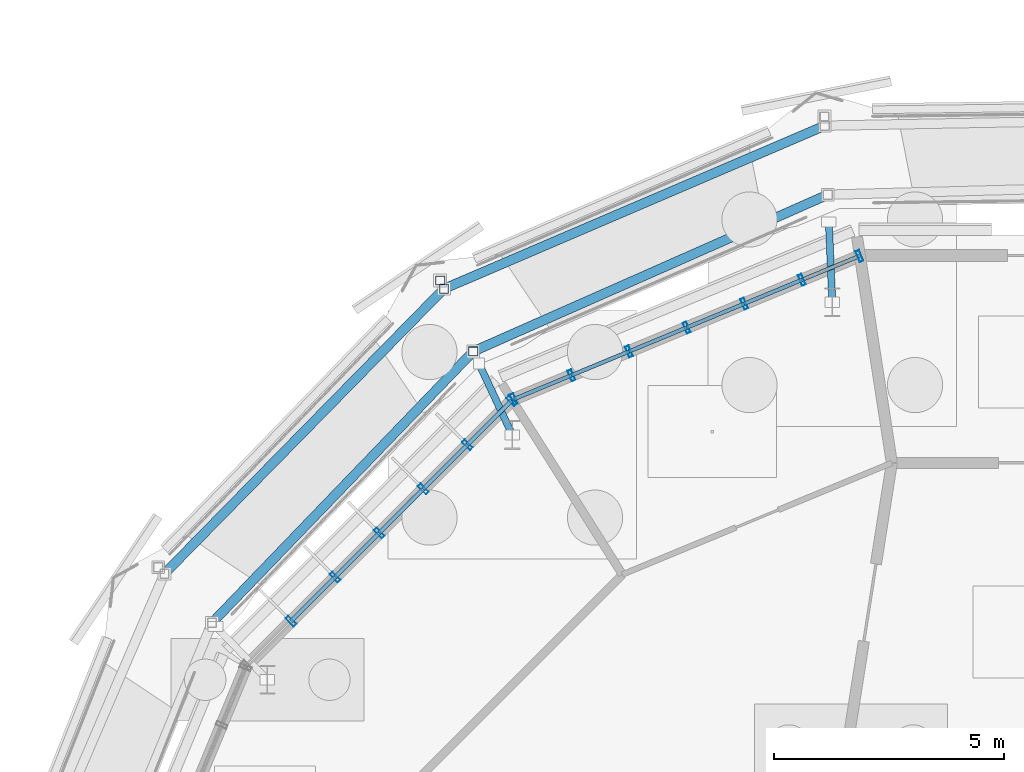
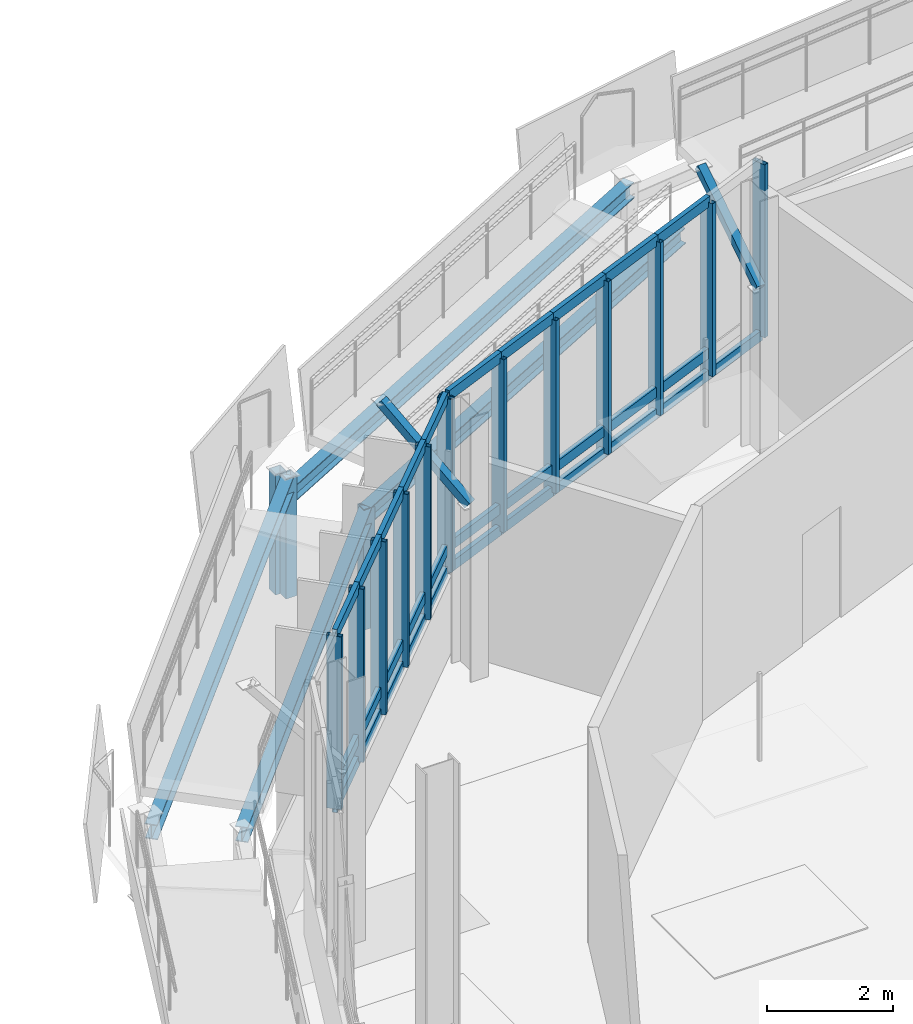
# One storey, part 50 of 119: 49 members, 4 beams, 2 elements without a shape of their own.
"""IFC4 building model written with IfcOpenShell, lengths in metres."""

from ifc_helpers import new_model, si_unit, derived_unit, direction, frame, origin, origin_2d, place, context, subcontext, project, spatial, hollow_rectangle, i_section, extrude, material, layer, layer_set, material_profile, profile_set, type_object, element, aggregate, save


model = new_model("IFC4")

# Units and contexts
model_context = context("Model", 3, precision=1e-05, world=origin(), true_north=direction((0.0, 1.0)))
body_context = subcontext(model_context, "Body", "Model", "MODEL_VIEW")
ifc_project = project(units=[si_unit("LENGTHUNIT", "METRE"), si_unit("AREAUNIT", "SQUARE_METRE"), si_unit("VOLUMEUNIT", "CUBIC_METRE"), si_unit("PLANEANGLEUNIT", "RADIAN"), si_unit("MASSUNIT", "GRAM", prefix="KILO"), derived_unit("THERMALTRANSMITTANCEUNIT", [(si_unit("MASSUNIT", "GRAM", prefix="KILO"), 1), (si_unit("TIMEUNIT", "SECOND"), -3), (si_unit("THERMODYNAMICTEMPERATUREUNIT", "KELVIN"), -1)])], contexts=[model_context])

# Site, building, storey
site_placement = place(None, origin())
site = spatial("IfcSite", under=ifc_project, at=site_placement, CompositionType="ELEMENT")
building_placement = place(site_placement, origin())
building = spatial("IfcBuilding", under=site, at=building_placement, Name="Makaiwela Harbour Ferry Terminal", CompositionType="ELEMENT")
storey_placement = place(building_placement, origin())
storey = spatial("IfcBuildingStorey", under=building, at=storey_placement, Name="L00", CompositionType="ELEMENT", Elevation=0.0)

# Curtain wall, members
ifc_material_1 = material(Name="Marine anodised aluminium 6063-T6", Category="aluminium")
ifc_layer = layer(ifc_material_1, 0.199951171875)
ifc_layer_set = layer_set([ifc_layer], Name="Marine anodised aluminium 6063-T6")
curtain_wall_type = type_object("IfcCurtainWallType", Name="ENV-CW-01", PredefinedType="USERDEFINED", material=ifc_layer_set)
curtain_wall_1_placement = place(storey_placement, origin())
curtain_wall_1 = element("IfcCurtainWall", 1, at=curtain_wall_1_placement, inside=storey, type_object=curtain_wall_type, Name="Unitised Curtain Wall CWA-003", ObjectType="UNITIZED CURTAIN WALL", PredefinedType="USERDEFINED")
ifc_material_profile_1 = material_profile(ifc_material_1, hollow_rectangle(XDim=0.0849609375, YDim=0.25, WallThickness=0.0048828125, at=origin_2d()), Name="CWM-250X85")
ifc_profile_set_1 = profile_set([ifc_material_profile_1], Name="Marine anodised aluminium 6063-T6")
member_type_1 = type_object("IfcMemberType", Name="CW-MUL-250", PredefinedType="MULLION", material=ifc_profile_set_1)
member_1_placement = place(storey_placement, frame((33.92529296875, 88.034912109375, 1.47998046875), z_axis=(0.0, 0.0, 1.0), x_axis=(0.923879532511, 0.382683432365, 0.0)))
member_1 = element("IfcMember", 2, at=member_1_placement, type_object=member_type_1, Name="Curtain Wall Mullion CWA-003-1", PredefinedType="MULLION", context=body_context, shape_type="SweptSolid", body=[
    extrude(hollow_rectangle(XDim=0.0849609375, YDim=0.25, WallThickness=0.0048828125, at=origin_2d()), origin(), (0.0, 0.0, 1.0), 3.340087890625),
])
member_2_placement = place(storey_placement, frame((32.673095703125, 87.51611328125, 1.47998046875), z_axis=(0.0, 0.0, 1.0), x_axis=(0.923879532511, 0.382683432365, 0.0)))
member_2 = element("IfcMember", 3, at=member_2_placement, type_object=member_type_1, Name="Curtain Wall Mullion CWA-003-2", PredefinedType="MULLION", context=body_context, shape_type="SweptSolid", body=[
    extrude(hollow_rectangle(XDim=0.0849609375, YDim=0.25, WallThickness=0.0048828125, at=origin_2d()), origin(), (0.0, 0.0, 1.0), 3.340087890625),
])
member_3_placement = place(storey_placement, frame((31.42041015625, 86.99755859375, 1.47998046875), z_axis=(0.0, 0.0, 1.0), x_axis=(0.923879532511, 0.382683432365, 0.0)))
member_3 = element("IfcMember", 4, at=member_3_placement, type_object=member_type_1, Name="Curtain Wall Mullion CWA-003-3", PredefinedType="MULLION", context=body_context, shape_type="SweptSolid", body=[
    extrude(hollow_rectangle(XDim=0.0849609375, YDim=0.25, WallThickness=0.0048828125, at=origin_2d()), origin(), (0.0, 0.0, 1.0), 3.340087890625),
])
member_4_placement = place(storey_placement, frame((30.168212890625, 86.478759765625, 1.47998046875), z_axis=(0.0, 0.0, 1.0), x_axis=(0.923879532511, 0.382683432365, 0.0)))
member_4 = element("IfcMember", 5, at=member_4_placement, type_object=member_type_1, Name="Curtain Wall Mullion CWA-003-4", PredefinedType="MULLION", context=body_context, shape_type="SweptSolid", body=[
    extrude(hollow_rectangle(XDim=0.0849609375, YDim=0.25, WallThickness=0.0048828125, at=origin_2d()), origin(), (0.0, 0.0, 1.0), 3.340087890625),
])
member_5_placement = place(storey_placement, frame((28.91552734375, 85.9599609375, 1.47998046875), z_axis=(0.0, 0.0, 1.0), x_axis=(0.923879532511, 0.382683432365, 0.0)))
member_5 = element("IfcMember", 6, at=member_5_placement, type_object=member_type_1, Name="Curtain Wall Mullion CWA-003-5", PredefinedType="MULLION", context=body_context, shape_type="SweptSolid", body=[
    extrude(hollow_rectangle(XDim=0.0849609375, YDim=0.25, WallThickness=0.0048828125, at=origin_2d()), origin(), (0.0, 0.0, 1.0), 3.340087890625),
])
member_6_placement = place(storey_placement, frame((27.6630859375, 85.441162109375, 1.47998046875), z_axis=(0.0, 0.0, 1.0), x_axis=(0.923879532511, 0.382683432365, 0.0)))
member_6 = element("IfcMember", 7, at=member_6_placement, type_object=member_type_1, Name="Curtain Wall Mullion CWA-003-6", PredefinedType="MULLION", context=body_context, shape_type="SweptSolid", body=[
    extrude(hollow_rectangle(XDim=0.0849609375, YDim=0.25, WallThickness=0.0048828125, at=origin_2d()), origin(), (0.0, 0.0, 1.0), 3.340087890625),
])
member_7_placement = place(storey_placement, frame((26.41064453125, 84.92236328125, 1.47998046875), z_axis=(0.0, 0.0, 1.0), x_axis=(0.923879532511, 0.382683432365, 0.0)))
member_7 = element("IfcMember", 8, at=member_7_placement, type_object=member_type_1, Name="Curtain Wall Mullion CWA-003-7", PredefinedType="MULLION", context=body_context, shape_type="SweptSolid", body=[
    extrude(hollow_rectangle(XDim=0.0849609375, YDim=0.25, WallThickness=0.0048828125, at=origin_2d()), origin(), (0.0, 0.0, 1.0), 3.340087890625),
])

curtain_wall_2_placement = place(storey_placement, origin())
curtain_wall_2 = element("IfcCurtainWall", 9, at=curtain_wall_2_placement, inside=storey, type_object=curtain_wall_type, Name="Unitised Curtain Wall CWA-004", ObjectType="UNITIZED CURTAIN WALL", PredefinedType="USERDEFINED")
member_8_placement = place(storey_placement, frame((26.36181640625, 84.8896484375, 1.47998046875), z_axis=(0.0, 0.0, 1.0), x_axis=(0.707106781187, 0.707106781187, 0.0)))
member_8 = element("IfcMember", 10, at=member_8_placement, type_object=member_type_1, Name="Curtain Wall Mullion CWA-004-1", PredefinedType="MULLION", context=body_context, shape_type="SweptSolid", body=[
    extrude(hollow_rectangle(XDim=0.0849609375, YDim=0.25, WallThickness=0.0048828125, at=origin_2d()), origin(), (0.0, 0.0, 1.0), 3.340087890625),
])
member_9_placement = place(storey_placement, frame((25.4033203125, 83.93115234375, 1.47998046875), z_axis=(0.0, 0.0, 1.0), x_axis=(0.707106781187, 0.707106781187, 0.0)))
member_9 = element("IfcMember", 11, at=member_9_placement, type_object=member_type_1, Name="Curtain Wall Mullion CWA-004-2", PredefinedType="MULLION", context=body_context, shape_type="SweptSolid", body=[
    extrude(hollow_rectangle(XDim=0.0849609375, YDim=0.25, WallThickness=0.0048828125, at=origin_2d()), origin(), (0.0, 0.0, 1.0), 3.340087890625),
])
member_10_placement = place(storey_placement, frame((24.444580078125, 82.972412109375, 1.47998046875), z_axis=(0.0, 0.0, 1.0), x_axis=(0.707106781187, 0.707106781187, 0.0)))
member_10 = element("IfcMember", 12, at=member_10_placement, type_object=member_type_1, Name="Curtain Wall Mullion CWA-004-3", PredefinedType="MULLION", context=body_context, shape_type="SweptSolid", body=[
    extrude(hollow_rectangle(XDim=0.0849609375, YDim=0.25, WallThickness=0.0048828125, at=origin_2d()), origin(), (0.0, 0.0, 1.0), 3.340087890625),
])
member_11_placement = place(storey_placement, frame((23.486083984375, 82.013916015625, 1.47998046875), z_axis=(0.0, 0.0, 1.0), x_axis=(0.707106781187, 0.707106781187, 0.0)))
member_11 = element("IfcMember", 13, at=member_11_placement, type_object=member_type_1, Name="Curtain Wall Mullion CWA-004-4", PredefinedType="MULLION", context=body_context, shape_type="SweptSolid", body=[
    extrude(hollow_rectangle(XDim=0.0849609375, YDim=0.25, WallThickness=0.0048828125, at=origin_2d()), origin(), (0.0, 0.0, 1.0), 3.340087890625),
])
member_12_placement = place(storey_placement, frame((22.527587890625, 81.055419921875, 1.47998046875), z_axis=(0.0, 0.0, 1.0), x_axis=(0.707106781187, 0.707106781187, 0.0)))
member_12 = element("IfcMember", 14, at=member_12_placement, type_object=member_type_1, Name="Curtain Wall Mullion CWA-004-5", PredefinedType="MULLION", context=body_context, shape_type="SweptSolid", body=[
    extrude(hollow_rectangle(XDim=0.0849609375, YDim=0.25, WallThickness=0.0048828125, at=origin_2d()), origin(), (0.0, 0.0, 1.0), 3.340087890625),
])
member_13_placement = place(storey_placement, frame((21.56884765625, 80.0966796875, 1.47998046875), z_axis=(0.0, 0.0, 1.0), x_axis=(0.707106781187, 0.707106781187, 0.0)))
member_13 = element("IfcMember", 15, at=member_13_placement, type_object=member_type_1, Name="Curtain Wall Mullion CWA-004-6", PredefinedType="MULLION", context=body_context, shape_type="SweptSolid", body=[
    extrude(hollow_rectangle(XDim=0.0849609375, YDim=0.25, WallThickness=0.0048828125, at=origin_2d()), origin(), (0.0, 0.0, 1.0), 3.340087890625),
])

# Member
ifc_material_profile_2 = material_profile(ifc_material_1, hollow_rectangle(XDim=0.0849609375, YDim=0.199951171875, WallThickness=0.0048828125, at=origin_2d()), Name="CWT-200X85")
ifc_profile_set_2 = profile_set([ifc_material_profile_2], Name="Marine anodised aluminium 6063-T6")
member_type_2 = type_object("IfcMemberType", Name="CW-TRN-200", PredefinedType="USERDEFINED", material=ifc_profile_set_2)
member_14_placement = place(storey_placement, frame((33.92529296875, 88.034912109375, 1.47998046875), z_axis=(-0.923847774587, -0.38276009378, 0.0), x_axis=(0.38276009378, -0.923847774587, 0.0)))
member_14 = element("IfcMember", 16, at=member_14_placement, type_object=member_type_2, Name="Curtain Wall Transom CWA-003-1-1", ObjectType="TRANSOM", PredefinedType="USERDEFINED", context=body_context, shape_type="SweptSolid", body=[
    extrude(hollow_rectangle(XDim=0.0849609375, YDim=0.199951171875, WallThickness=0.0048828125, at=origin_2d()), origin(), (0.0, 0.0, 1.0), 1.35546875),
])

member_15_placement = place(storey_placement, frame((32.673095703125, 87.51611328125, 1.47998046875), z_axis=(-0.923964172328, -0.382479029823, 0.0), x_axis=(0.382479029823, -0.923964172328, 0.0)))
member_15 = element("IfcMember", 17, at=member_15_placement, type_object=member_type_2, Name="Curtain Wall Transom CWA-003-2-1", ObjectType="TRANSOM", PredefinedType="USERDEFINED", context=body_context, shape_type="SweptSolid", body=[
    extrude(hollow_rectangle(XDim=0.0849609375, YDim=0.199951171875, WallThickness=0.0048828125, at=origin_2d()), origin(), (0.0, 0.0, 1.0), 1.355712890625),
])

member_16_placement = place(storey_placement, frame((32.673095703125, 87.51611328125, 1.89990234375), z_axis=(-0.923964172328, -0.382479029823, 0.0), x_axis=(0.382479029823, -0.923964172328, 0.0)))
member_16 = element("IfcMember", 18, at=member_16_placement, type_object=member_type_2, Name="Curtain Wall Transom CWA-003-2-2", ObjectType="TRANSOM", PredefinedType="USERDEFINED", context=body_context, shape_type="SweptSolid", body=[
    extrude(hollow_rectangle(XDim=0.0849609375, YDim=0.199951171875, WallThickness=0.0048828125, at=origin_2d()), origin(), (0.0, 0.0, 1.0), 1.355712890625),
])

member_17_placement = place(storey_placement, frame((32.673095703125, 87.51611328125, 4.820068359375), z_axis=(-0.923964172328, -0.382479029823, 0.0), x_axis=(0.382479029823, -0.923964172328, 0.0)))
member_17 = element("IfcMember", 19, at=member_17_placement, type_object=member_type_2, Name="Curtain Wall Transom CWA-003-2-3", ObjectType="TRANSOM", PredefinedType="USERDEFINED", context=body_context, shape_type="SweptSolid", body=[
    extrude(hollow_rectangle(XDim=0.0849609375, YDim=0.199951171875, WallThickness=0.0048828125, at=origin_2d()), origin(), (0.0, 0.0, 1.0), 1.355712890625),
])

member_18_placement = place(storey_placement, frame((31.42041015625, 86.99755859375, 1.47998046875), z_axis=(-0.923847774587, -0.38276009378, 0.0), x_axis=(0.38276009378, -0.923847774587, 0.0)))
member_18 = element("IfcMember", 20, at=member_18_placement, type_object=member_type_2, Name="Curtain Wall Transom CWA-003-3-1", ObjectType="TRANSOM", PredefinedType="USERDEFINED", context=body_context, shape_type="SweptSolid", body=[
    extrude(hollow_rectangle(XDim=0.0849609375, YDim=0.199951171875, WallThickness=0.0048828125, at=origin_2d()), origin(), (0.0, 0.0, 1.0), 1.35546875),
])

member_19_placement = place(storey_placement, frame((31.42041015625, 86.99755859375, 1.89990234375), z_axis=(-0.923847774587, -0.38276009378, 0.0), x_axis=(0.38276009378, -0.923847774587, 0.0)))
member_19 = element("IfcMember", 21, at=member_19_placement, type_object=member_type_2, Name="Curtain Wall Transom CWA-003-3-2", ObjectType="TRANSOM", PredefinedType="USERDEFINED", context=body_context, shape_type="SweptSolid", body=[
    extrude(hollow_rectangle(XDim=0.0849609375, YDim=0.199951171875, WallThickness=0.0048828125, at=origin_2d()), origin(), (0.0, 0.0, 1.0), 1.35546875),
])

member_20_placement = place(storey_placement, frame((31.42041015625, 86.99755859375, 4.820068359375), z_axis=(-0.923847774587, -0.38276009378, 0.0), x_axis=(0.38276009378, -0.923847774587, 0.0)))
member_20 = element("IfcMember", 22, at=member_20_placement, type_object=member_type_2, Name="Curtain Wall Transom CWA-003-3-3", ObjectType="TRANSOM", PredefinedType="USERDEFINED", context=body_context, shape_type="SweptSolid", body=[
    extrude(hollow_rectangle(XDim=0.0849609375, YDim=0.199951171875, WallThickness=0.0048828125, at=origin_2d()), origin(), (0.0, 0.0, 1.0), 1.35546875),
])

member_21_placement = place(storey_placement, frame((30.168212890625, 86.478759765625, 1.47998046875), z_axis=(-0.923900526019, -0.382632745623, 0.0), x_axis=(0.382632745623, -0.923900526019, 0.0)))
member_21 = element("IfcMember", 23, at=member_21_placement, type_object=member_type_2, Name="Curtain Wall Transom CWA-003-4-1", ObjectType="TRANSOM", PredefinedType="USERDEFINED", context=body_context, shape_type="SweptSolid", body=[
    extrude(hollow_rectangle(XDim=0.0849609375, YDim=0.199951171875, WallThickness=0.0048828125, at=origin_2d()), origin(), (0.0, 0.0, 1.0), 1.35595703125),
])

member_22_placement = place(storey_placement, frame((30.168212890625, 86.478759765625, 1.89990234375), z_axis=(-0.923900526019, -0.382632745623, 0.0), x_axis=(0.382632745623, -0.923900526019, 0.0)))
member_22 = element("IfcMember", 24, at=member_22_placement, type_object=member_type_2, Name="Curtain Wall Transom CWA-003-4-2", ObjectType="TRANSOM", PredefinedType="USERDEFINED", context=body_context, shape_type="SweptSolid", body=[
    extrude(hollow_rectangle(XDim=0.0849609375, YDim=0.199951171875, WallThickness=0.0048828125, at=origin_2d()), origin(), (0.0, 0.0, 1.0), 1.35595703125),
])

member_23_placement = place(storey_placement, frame((30.168212890625, 86.478759765625, 4.820068359375), z_axis=(-0.923900526019, -0.382632745623, 0.0), x_axis=(0.382632745623, -0.923900526019, 0.0)))
member_23 = element("IfcMember", 25, at=member_23_placement, type_object=member_type_2, Name="Curtain Wall Transom CWA-003-4-3", ObjectType="TRANSOM", PredefinedType="USERDEFINED", context=body_context, shape_type="SweptSolid", body=[
    extrude(hollow_rectangle(XDim=0.0849609375, YDim=0.199951171875, WallThickness=0.0048828125, at=origin_2d()), origin(), (0.0, 0.0, 1.0), 1.35595703125),
])

member_24_placement = place(storey_placement, frame((28.91552734375, 85.9599609375, 1.47998046875), z_axis=(-0.923874156886, -0.382696410016, 0.0), x_axis=(0.382696410016, -0.923874156886, 0.0)))
member_24 = element("IfcMember", 26, at=member_24_placement, type_object=member_type_2, Name="Curtain Wall Transom CWA-003-5-1", ObjectType="TRANSOM", PredefinedType="USERDEFINED", context=body_context, shape_type="SweptSolid", body=[
    extrude(hollow_rectangle(XDim=0.0849609375, YDim=0.199951171875, WallThickness=0.0048828125, at=origin_2d()), origin(), (0.0, 0.0, 1.0), 1.355712890625),
])

member_25_placement = place(storey_placement, frame((28.91552734375, 85.9599609375, 1.89990234375), z_axis=(-0.923874156886, -0.382696410016, 0.0), x_axis=(0.382696410016, -0.923874156886, 0.0)))
member_25 = element("IfcMember", 27, at=member_25_placement, type_object=member_type_2, Name="Curtain Wall Transom CWA-003-5-2", ObjectType="TRANSOM", PredefinedType="USERDEFINED", context=body_context, shape_type="SweptSolid", body=[
    extrude(hollow_rectangle(XDim=0.0849609375, YDim=0.199951171875, WallThickness=0.0048828125, at=origin_2d()), origin(), (0.0, 0.0, 1.0), 1.355712890625),
])

member_26_placement = place(storey_placement, frame((28.91552734375, 85.9599609375, 4.820068359375), z_axis=(-0.923874156886, -0.382696410016, 0.0), x_axis=(0.382696410016, -0.923874156886, 0.0)))
member_26 = element("IfcMember", 28, at=member_26_placement, type_object=member_type_2, Name="Curtain Wall Transom CWA-003-5-3", ObjectType="TRANSOM", PredefinedType="USERDEFINED", context=body_context, shape_type="SweptSolid", body=[
    extrude(hollow_rectangle(XDim=0.0849609375, YDim=0.199951171875, WallThickness=0.0048828125, at=origin_2d()), origin(), (0.0, 0.0, 1.0), 1.355712890625),
])

member_27_placement = place(storey_placement, frame((27.6630859375, 85.441162109375, 1.47998046875), z_axis=(-0.923874156886, -0.382696410016, 0.0), x_axis=(0.382696410016, -0.923874156886, 0.0)))
member_27 = element("IfcMember", 29, at=member_27_placement, type_object=member_type_2, Name="Curtain Wall Transom CWA-003-6-1", ObjectType="TRANSOM", PredefinedType="USERDEFINED", context=body_context, shape_type="SweptSolid", body=[
    extrude(hollow_rectangle(XDim=0.0849609375, YDim=0.199951171875, WallThickness=0.0048828125, at=origin_2d()), origin(), (0.0, 0.0, 1.0), 1.355712890625),
])

member_28_placement = place(storey_placement, frame((27.6630859375, 85.441162109375, 1.89990234375), z_axis=(-0.923874156886, -0.382696410016, 0.0), x_axis=(0.382696410016, -0.923874156886, 0.0)))
member_28 = element("IfcMember", 30, at=member_28_placement, type_object=member_type_2, Name="Curtain Wall Transom CWA-003-6-2", ObjectType="TRANSOM", PredefinedType="USERDEFINED", context=body_context, shape_type="SweptSolid", body=[
    extrude(hollow_rectangle(XDim=0.0849609375, YDim=0.199951171875, WallThickness=0.0048828125, at=origin_2d()), origin(), (0.0, 0.0, 1.0), 1.355712890625),
])

member_29_placement = place(storey_placement, frame((27.6630859375, 85.441162109375, 4.820068359375), z_axis=(-0.923874156886, -0.382696410016, 0.0), x_axis=(0.382696410016, -0.923874156886, 0.0)))
member_29 = element("IfcMember", 31, at=member_29_placement, type_object=member_type_2, Name="Curtain Wall Transom CWA-003-6-3", ObjectType="TRANSOM", PredefinedType="USERDEFINED", context=body_context, shape_type="SweptSolid", body=[
    extrude(hollow_rectangle(XDim=0.0849609375, YDim=0.199951171875, WallThickness=0.0048828125, at=origin_2d()), origin(), (0.0, 0.0, 1.0), 1.355712890625),
])

aggregate(curtain_wall_1, [member_1, member_2, member_3, member_4, member_5, member_6, member_7, member_14, member_15, member_16, member_17, member_18, member_19, member_20, member_21, member_22, member_23, member_24, member_25, member_26, member_27, member_28, member_29])

member_30_placement = place(storey_placement, frame((26.36181640625, 84.8896484375, 1.47998046875), z_axis=(-0.707106781187, -0.707106781187, 0.0), x_axis=(0.707106781187, -0.707106781187, 0.0)))
member_30 = element("IfcMember", 32, at=member_30_placement, type_object=member_type_2, Name="Curtain Wall Transom CWA-004-1-1", ObjectType="TRANSOM", PredefinedType="USERDEFINED", context=body_context, shape_type="SweptSolid", body=[
    extrude(hollow_rectangle(XDim=0.0849609375, YDim=0.199951171875, WallThickness=0.0048828125, at=origin_2d()), origin(), (0.0, 0.0, 1.0), 1.35546875),
])

member_31_placement = place(storey_placement, frame((26.36181640625, 84.8896484375, 1.89990234375), z_axis=(-0.707106781187, -0.707106781187, 0.0), x_axis=(0.707106781187, -0.707106781187, 0.0)))
member_31 = element("IfcMember", 33, at=member_31_placement, type_object=member_type_2, Name="Curtain Wall Transom CWA-004-1-2", ObjectType="TRANSOM", PredefinedType="USERDEFINED", context=body_context, shape_type="SweptSolid", body=[
    extrude(hollow_rectangle(XDim=0.0849609375, YDim=0.199951171875, WallThickness=0.0048828125, at=origin_2d()), origin(), (0.0, 0.0, 1.0), 1.35546875),
])

member_32_placement = place(storey_placement, frame((26.36181640625, 84.8896484375, 4.820068359375), z_axis=(-0.707106781187, -0.707106781187, 0.0), x_axis=(0.707106781187, -0.707106781187, 0.0)))
member_32 = element("IfcMember", 34, at=member_32_placement, type_object=member_type_2, Name="Curtain Wall Transom CWA-004-1-3", ObjectType="TRANSOM", PredefinedType="USERDEFINED", context=body_context, shape_type="SweptSolid", body=[
    extrude(hollow_rectangle(XDim=0.0849609375, YDim=0.199951171875, WallThickness=0.0048828125, at=origin_2d()), origin(), (0.0, 0.0, 1.0), 1.35546875),
])

member_33_placement = place(storey_placement, frame((25.4033203125, 83.93115234375, 1.47998046875), z_axis=(-0.707106781187, -0.707106781187, 0.0), x_axis=(0.707106781187, -0.707106781187, 0.0)))
member_33 = element("IfcMember", 35, at=member_33_placement, type_object=member_type_2, Name="Curtain Wall Transom CWA-004-2-1", ObjectType="TRANSOM", PredefinedType="USERDEFINED", context=body_context, shape_type="SweptSolid", body=[
    extrude(hollow_rectangle(XDim=0.0849609375, YDim=0.199951171875, WallThickness=0.0048828125, at=origin_2d()), origin(), (0.0, 0.0, 1.0), 1.35595703125),
])

member_34_placement = place(storey_placement, frame((25.4033203125, 83.93115234375, 1.89990234375), z_axis=(-0.707106781187, -0.707106781187, 0.0), x_axis=(0.707106781187, -0.707106781187, 0.0)))
member_34 = element("IfcMember", 36, at=member_34_placement, type_object=member_type_2, Name="Curtain Wall Transom CWA-004-2-2", ObjectType="TRANSOM", PredefinedType="USERDEFINED", context=body_context, shape_type="SweptSolid", body=[
    extrude(hollow_rectangle(XDim=0.0849609375, YDim=0.199951171875, WallThickness=0.0048828125, at=origin_2d()), origin(), (0.0, 0.0, 1.0), 1.35595703125),
])

member_35_placement = place(storey_placement, frame((25.4033203125, 83.93115234375, 4.820068359375), z_axis=(-0.707106781187, -0.707106781187, 0.0), x_axis=(0.707106781187, -0.707106781187, 0.0)))
member_35 = element("IfcMember", 37, at=member_35_placement, type_object=member_type_2, Name="Curtain Wall Transom CWA-004-2-3", ObjectType="TRANSOM", PredefinedType="USERDEFINED", context=body_context, shape_type="SweptSolid", body=[
    extrude(hollow_rectangle(XDim=0.0849609375, YDim=0.199951171875, WallThickness=0.0048828125, at=origin_2d()), origin(), (0.0, 0.0, 1.0), 1.35595703125),
])

member_36_placement = place(storey_placement, frame((24.444580078125, 82.972412109375, 1.47998046875), z_axis=(-0.707106781187, -0.707106781187, 0.0), x_axis=(0.707106781187, -0.707106781187, 0.0)))
member_36 = element("IfcMember", 38, at=member_36_placement, type_object=member_type_2, Name="Curtain Wall Transom CWA-004-3-1", ObjectType="TRANSOM", PredefinedType="USERDEFINED", context=body_context, shape_type="SweptSolid", body=[
    extrude(hollow_rectangle(XDim=0.0849609375, YDim=0.199951171875, WallThickness=0.0048828125, at=origin_2d()), origin(), (0.0, 0.0, 1.0), 1.35546875),
])

member_37_placement = place(storey_placement, frame((24.444580078125, 82.972412109375, 1.89990234375), z_axis=(-0.707106781187, -0.707106781187, 0.0), x_axis=(0.707106781187, -0.707106781187, 0.0)))
member_37 = element("IfcMember", 39, at=member_37_placement, type_object=member_type_2, Name="Curtain Wall Transom CWA-004-3-2", ObjectType="TRANSOM", PredefinedType="USERDEFINED", context=body_context, shape_type="SweptSolid", body=[
    extrude(hollow_rectangle(XDim=0.0849609375, YDim=0.199951171875, WallThickness=0.0048828125, at=origin_2d()), origin(), (0.0, 0.0, 1.0), 1.35546875),
])

member_38_placement = place(storey_placement, frame((24.444580078125, 82.972412109375, 4.820068359375), z_axis=(-0.707106781187, -0.707106781187, 0.0), x_axis=(0.707106781187, -0.707106781187, 0.0)))
member_38 = element("IfcMember", 40, at=member_38_placement, type_object=member_type_2, Name="Curtain Wall Transom CWA-004-3-3", ObjectType="TRANSOM", PredefinedType="USERDEFINED", context=body_context, shape_type="SweptSolid", body=[
    extrude(hollow_rectangle(XDim=0.0849609375, YDim=0.199951171875, WallThickness=0.0048828125, at=origin_2d()), origin(), (0.0, 0.0, 1.0), 1.35546875),
])

member_39_placement = place(storey_placement, frame((23.486083984375, 82.013916015625, 1.47998046875), z_axis=(-0.707106781187, -0.707106781187, 0.0), x_axis=(0.707106781187, -0.707106781187, 0.0)))
member_39 = element("IfcMember", 41, at=member_39_placement, type_object=member_type_2, Name="Curtain Wall Transom CWA-004-4-1", ObjectType="TRANSOM", PredefinedType="USERDEFINED", context=body_context, shape_type="SweptSolid", body=[
    extrude(hollow_rectangle(XDim=0.0849609375, YDim=0.199951171875, WallThickness=0.0048828125, at=origin_2d()), origin(), (0.0, 0.0, 1.0), 1.35546875),
])

member_40_placement = place(storey_placement, frame((23.486083984375, 82.013916015625, 1.89990234375), z_axis=(-0.707106781187, -0.707106781187, 0.0), x_axis=(0.707106781187, -0.707106781187, 0.0)))
member_40 = element("IfcMember", 42, at=member_40_placement, type_object=member_type_2, Name="Curtain Wall Transom CWA-004-4-2", ObjectType="TRANSOM", PredefinedType="USERDEFINED", context=body_context, shape_type="SweptSolid", body=[
    extrude(hollow_rectangle(XDim=0.0849609375, YDim=0.199951171875, WallThickness=0.0048828125, at=origin_2d()), origin(), (0.0, 0.0, 1.0), 1.35546875),
])

member_41_placement = place(storey_placement, frame((23.486083984375, 82.013916015625, 4.820068359375), z_axis=(-0.707106781187, -0.707106781187, 0.0), x_axis=(0.707106781187, -0.707106781187, 0.0)))
member_41 = element("IfcMember", 43, at=member_41_placement, type_object=member_type_2, Name="Curtain Wall Transom CWA-004-4-3", ObjectType="TRANSOM", PredefinedType="USERDEFINED", context=body_context, shape_type="SweptSolid", body=[
    extrude(hollow_rectangle(XDim=0.0849609375, YDim=0.199951171875, WallThickness=0.0048828125, at=origin_2d()), origin(), (0.0, 0.0, 1.0), 1.35546875),
])

member_42_placement = place(storey_placement, frame((22.527587890625, 81.055419921875, 1.47998046875), z_axis=(-0.707106781187, -0.707106781187, 0.0), x_axis=(0.707106781187, -0.707106781187, 0.0)))
member_42 = element("IfcMember", 44, at=member_42_placement, type_object=member_type_2, Name="Curtain Wall Transom CWA-004-5-1", ObjectType="TRANSOM", PredefinedType="USERDEFINED", context=body_context, shape_type="SweptSolid", body=[
    extrude(hollow_rectangle(XDim=0.0849609375, YDim=0.199951171875, WallThickness=0.0048828125, at=origin_2d()), origin(), (0.0, 0.0, 1.0), 1.35595703125),
])

member_43_placement = place(storey_placement, frame((22.527587890625, 81.055419921875, 1.89990234375), z_axis=(-0.707106781187, -0.707106781187, 0.0), x_axis=(0.707106781187, -0.707106781187, 0.0)))
member_43 = element("IfcMember", 45, at=member_43_placement, type_object=member_type_2, Name="Curtain Wall Transom CWA-004-5-2", ObjectType="TRANSOM", PredefinedType="USERDEFINED", context=body_context, shape_type="SweptSolid", body=[
    extrude(hollow_rectangle(XDim=0.0849609375, YDim=0.199951171875, WallThickness=0.0048828125, at=origin_2d()), origin(), (0.0, 0.0, 1.0), 1.35595703125),
])

member_44_placement = place(storey_placement, frame((22.527587890625, 81.055419921875, 4.820068359375), z_axis=(-0.707106781187, -0.707106781187, 0.0), x_axis=(0.707106781187, -0.707106781187, 0.0)))
member_44 = element("IfcMember", 46, at=member_44_placement, type_object=member_type_2, Name="Curtain Wall Transom CWA-004-5-3", ObjectType="TRANSOM", PredefinedType="USERDEFINED", context=body_context, shape_type="SweptSolid", body=[
    extrude(hollow_rectangle(XDim=0.0849609375, YDim=0.199951171875, WallThickness=0.0048828125, at=origin_2d()), origin(), (0.0, 0.0, 1.0), 1.35595703125),
])

aggregate(curtain_wall_2, [member_8, member_9, member_10, member_11, member_12, member_13, member_30, member_31, member_32, member_33, member_34, member_35, member_36, member_37, member_38, member_39, member_40, member_41, member_42, member_43, member_44])

# Beams
ifc_material_2 = material(Name="Steel ASTM A992 Grade 50", Category="steel")
ifc_material_profile_3 = material_profile(ifc_material_2, i_section(OverallWidth=0.205078125, OverallDepth=0.31005859375, WebThickness=0.009521484375, FlangeThickness=0.016357421875, at=origin_2d()), Name="W12X50")
ifc_profile_set_3 = profile_set([ifc_material_profile_3], Name="Steel ASTM A992 Grade 50")
beam_type = type_object("IfcBeamType", Name="STR-LNT-W12X50", PredefinedType="LINTEL", material=ifc_profile_set_3)
beam_1_placement = place(storey_placement, frame((19.8505859375, 80.06103515625, 1.58251953125), z_axis=(0.691396726306, 0.718295274896, 0.077604541844), x_axis=(-0.72046804797, 0.693488133896, 0.0)))
element("IfcBeam", 47, at=beam_1_placement, inside=storey, type_object=beam_type, Name="Coiled Ramp Stringer L00-F4-IN", PredefinedType="LINTEL", context=body_context, shape_type="SweptSolid", body=[
    extrude(i_section(OverallWidth=0.205078125, OverallDepth=0.31005859375, WebThickness=0.009521484375, FlangeThickness=0.016357421875, at=origin_2d()), origin(), (0.0, 0.0, 1.0), 8.214111328125),
])
beam_2_placement = place(storey_placement, frame((18.81494140625, 81.12841796875, 1.349609375), z_axis=(0.696921350299, 0.710217636654, 0.099456221939), x_axis=(-0.713756485008, 0.700393946368, 0.0)))
element("IfcBeam", 48, at=beam_2_placement, inside=storey, type_object=beam_type, Name="Coiled Ramp Stringer L00-F4-OUT", PredefinedType="LINTEL", context=body_context, shape_type="SweptSolid", body=[
    extrude(i_section(OverallWidth=0.205078125, OverallDepth=0.31005859375, WebThickness=0.009521484375, FlangeThickness=0.016357421875, at=origin_2d()), origin(), (0.0, 0.0, 1.0), 8.7216796875),
])
beam_3_placement = place(storey_placement, frame((25.52978515625, 85.961181640625, 2.219970703125), z_axis=(0.911988426634, 0.403218911183, 0.07544282172), x_axis=(-0.404371317094, 0.914594903721, 0.0)))
element("IfcBeam", 49, at=beam_3_placement, inside=storey, type_object=beam_type, Name="Coiled Ramp Stringer L00-F5-IN", PredefinedType="LINTEL", context=body_context, shape_type="SweptSolid", body=[
    extrude(i_section(OverallWidth=0.205078125, OverallDepth=0.31005859375, WebThickness=0.009521484375, FlangeThickness=0.016357421875, at=origin_2d()), origin(), (0.0, 0.0, 1.0), 8.449462890625),
])
beam_4_placement = place(storey_placement, frame((24.893310546875, 87.32275390625, 1.997802734375), z_axis=(0.915096873287, 0.391956913728, 0.094696833536), x_axis=(-0.393726257498, 0.919227737917, 0.0)))
element("IfcBeam", 50, at=beam_4_placement, inside=storey, type_object=beam_type, Name="Coiled Ramp Stringer L00-F5-OUT", PredefinedType="LINTEL", context=body_context, shape_type="SweptSolid", body=[
    extrude(i_section(OverallWidth=0.205078125, OverallDepth=0.31005859375, WebThickness=0.009521484375, FlangeThickness=0.016357421875, at=origin_2d()), origin(), (0.0, 0.0, 1.0), 9.046630859375),
])

# Members
ifc_material_3 = material(Name="Steel ASTM A500 Grade C", Category="steel")
ifc_material_profile_4 = material_profile(ifc_material_3, hollow_rectangle(XDim=0.202880859375, YDim=0.202880859375, WallThickness=0.01171875, at=origin_2d()), Name="HSS8X8X1/2")
ifc_profile_set_4 = profile_set([ifc_material_profile_4], Name="Steel ASTM A500 Grade C")
member_type_3 = type_object("IfcMemberType", Name="STR-PST-HSS8", PredefinedType="POST", material=ifc_profile_set_4)
member_45_placement = place(storey_placement, frame((24.893310546875, 87.32275390625, 0.050048828125), z_axis=(0.0, 0.0, 1.0), x_axis=(1.0, 0.0, 0.0)))
element("IfcMember", 51, at=member_45_placement, inside=storey, type_object=member_type_3, Name="Exterior Ramp Support Post RP-0051", PredefinedType="POST", context=body_context, shape_type="SweptSolid", body=[
    extrude(hollow_rectangle(XDim=0.202880859375, YDim=0.202880859375, WallThickness=0.01171875, at=origin_2d()), origin(), (0.0, 0.0, 1.0), 2.322021484375),
])
member_46_placement = place(storey_placement, frame((24.8095703125, 87.501953125, 0.050048828125), z_axis=(0.0, 0.0, 1.0), x_axis=(1.0, 0.0, 0.0)))
element("IfcMember", 52, at=member_46_placement, inside=storey, type_object=member_type_3, Name="Exterior Ramp Support Post RP-0052", PredefinedType="POST", context=body_context, shape_type="SweptSolid", body=[
    extrude(hollow_rectangle(XDim=0.202880859375, YDim=0.202880859375, WallThickness=0.01171875, at=origin_2d()), origin(), (0.0, 0.0, 1.0), 2.329833984375),
])
member_47_placement = place(storey_placement, frame((25.52978515625, 85.961181640625, 0.050048828125), z_axis=(0.0, 0.0, 1.0), x_axis=(1.0, 0.0, 0.0)))
element("IfcMember", 53, at=member_47_placement, inside=storey, type_object=member_type_3, Name="Exterior Ramp Support Post RP-0054", PredefinedType="POST", context=body_context, shape_type="SweptSolid", body=[
    extrude(hollow_rectangle(XDim=0.202880859375, YDim=0.202880859375, WallThickness=0.01171875, at=origin_2d()), origin(), (0.0, 0.0, 1.0), 2.324951171875),
])
ifc_material_profile_5 = material_profile(ifc_material_3, hollow_rectangle(XDim=0.152099609375, YDim=0.152099609375, WallThickness=0.0087890625, at=origin_2d()), Name="HSS6X6X3/8")
ifc_profile_set_5 = profile_set([ifc_material_profile_5], Name="Steel ASTM A500 Grade C")
member_type_4 = type_object("IfcMemberType", Name="STR-STT-HSS6", PredefinedType="STRUT", material=ifc_profile_set_5)
member_48_placement = place(storey_placement, frame((33.334716796875, 87.029296875, 3.199951171875), z_axis=(-0.033934782894, 0.799365066786, 0.599886589709), x_axis=(-0.999100122696, -0.042413969739, 0.0)))
element("IfcMember", 54, at=member_48_placement, inside=storey, type_object=member_type_4, Name="Structural Member SR-01", PredefinedType="STRUT", context=body_context, shape_type="SweptSolid", body=[
    extrude(hollow_rectangle(XDim=0.152099609375, YDim=0.152099609375, WallThickness=0.0087890625, at=origin_2d()), origin(), (0.0, 0.0, 1.0), 2.18701171875),
])
member_49_placement = place(storey_placement, frame((26.37744140625, 84.1474609375, 3.199951171875), z_axis=(-0.335787763258, 0.718395359812, 0.609224658929), x_axis=(-0.905923662945, -0.423441043024, 0.0)))
element("IfcMember", 55, at=member_49_placement, inside=storey, type_object=member_type_4, Name="Structural Member SR-01", PredefinedType="STRUT", context=body_context, shape_type="SweptSolid", body=[
    extrude(hollow_rectangle(XDim=0.152099609375, YDim=0.152099609375, WallThickness=0.0087890625, at=origin_2d()), origin(), (0.0, 0.0, 1.0), 2.153564453125),
])

save(model, "model.ifc")
